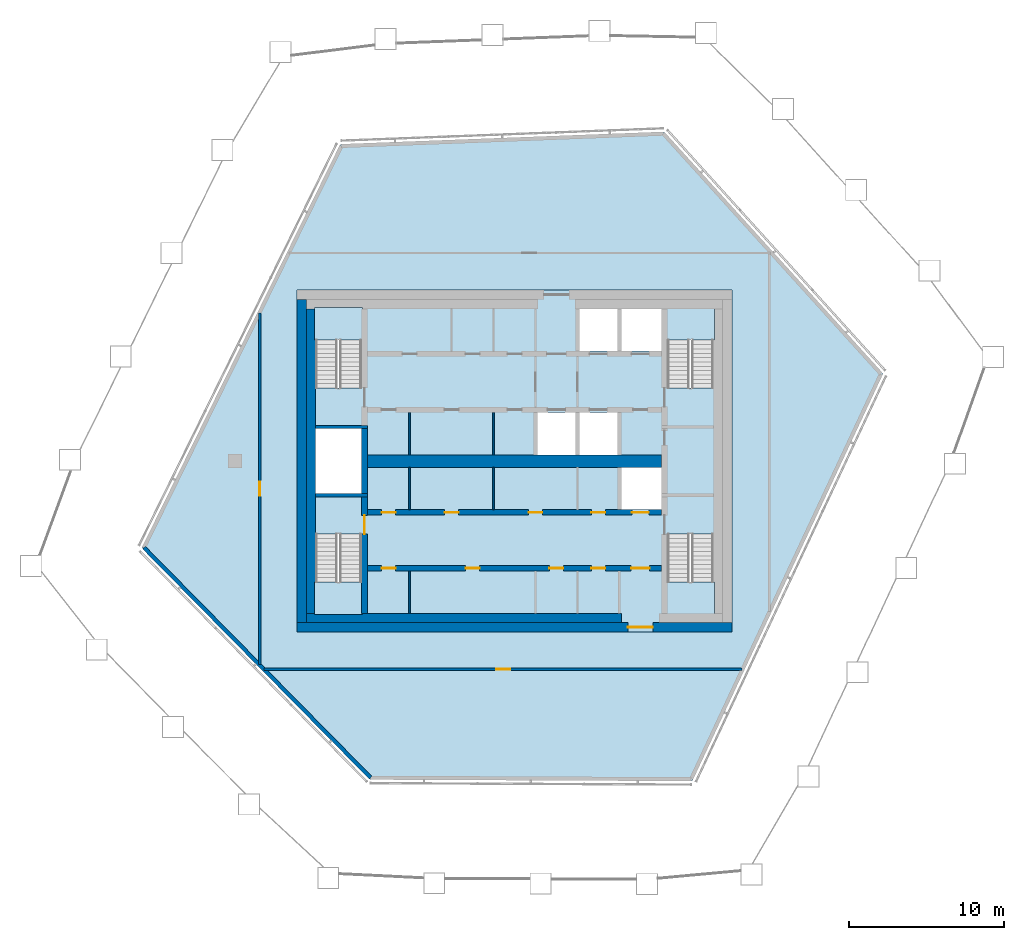
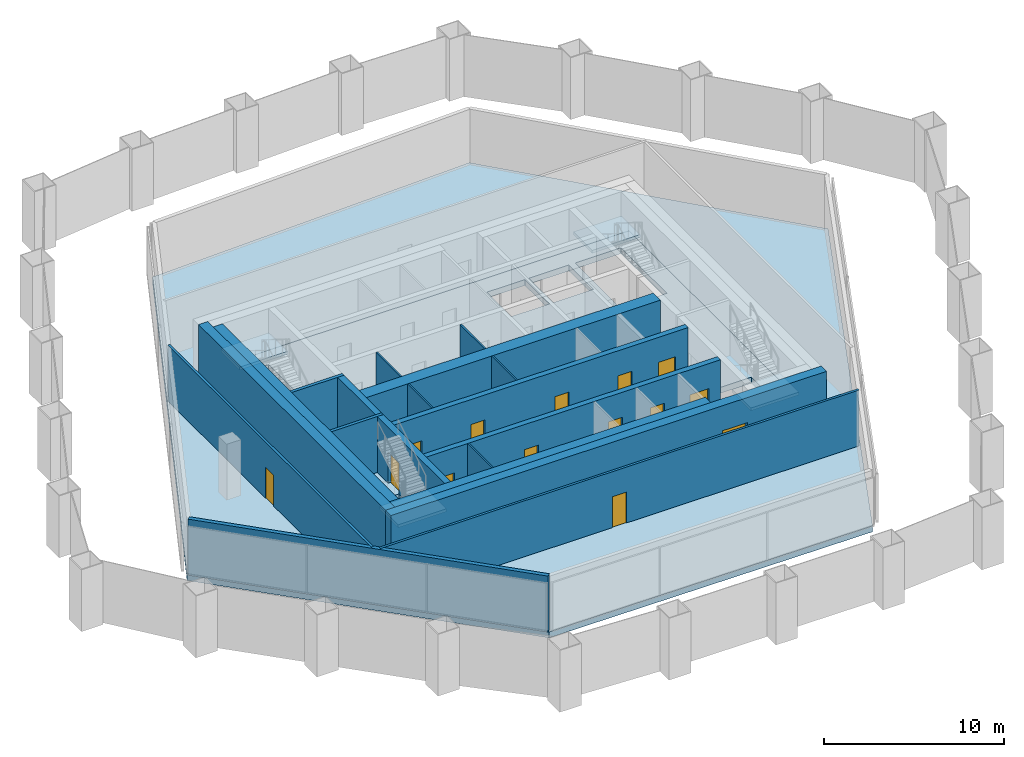
# One storey, part 7 of 18: 19 walls, 14 doors, 6 slabs, 14 openings, 4 elements without a shape of their own.
"""IFC4 building model written with IfcOpenShell, lengths in metres."""

import ifcopenshell
import ifcopenshell.guid

model = None  # the IFC model being written
_history = None  # IfcOwnerHistory: only IFC2X3 demands one
_inside = {}  # id of a spatial element -> (the spatial element, [elements in it])
_under = {}  # id of a project, library or spatial element -> (it, [spatial elements below it])
_declared = {}  # id of a project -> (the project, [libraries it declares])
_typed = {}  # id of a type object -> (the type object, [elements of that type])
_made_of = {}  # id of a material, layer set ... -> (it, [elements and type objects made of it])


def new_model(schema):
    """Start an empty IFC model of exactly this schema.

    Asked for "IFC4X3", IfcOpenShell would pick the latest addendum, in which some entities
    have other attributes; the version numbers below select the first issue.
    IFC2X3 requires an IfcOwnerHistory on every rooted entity: one is made here for all.
    """
    global model, _history
    if schema == "IFC4X3":
        model = ifcopenshell.file(schema_version=(4, 3, 0, 0))
    else:
        model = ifcopenshell.file(schema=schema)
    _inside.clear()
    _under.clear()
    _declared.clear()
    _typed.clear()
    _made_of.clear()
    _history = None
    if model.schema == "IFC2X3":
        org = make("IfcOrganization", Name="unknown")
        user = make(
            "IfcPersonAndOrganization",
            ThePerson=make("IfcPerson", FamilyName="unknown"),
            TheOrganization=org,
        )
        app = make(
            "IfcApplication",
            ApplicationDeveloper=org,
            Version="unknown",
            ApplicationFullName="unknown",
            ApplicationIdentifier="unknown",
        )
        _history = make(
            "IfcOwnerHistory",
            OwningUser=user,
            OwningApplication=app,
            ChangeAction="ADDED",
            CreationDate=0,
        )
    return model


def make(cls, **values):
    """One entity of the class cls with the attributes given. An attribute that is None is left unset."""
    return model.create_entity(
        cls, **{name: value for name, value in values.items() if value is not None}
    )


def rooted(cls, **values):
    """An entity with a GlobalId (a new one), such as an element, a storey or a relation."""
    return make(cls, GlobalId=ifcopenshell.guid.new(), OwnerHistory=_history, **values)


def si_unit(unit_type, name, prefix=None):
    """IfcSIUnit, for example si_unit("LENGTHUNIT", "METRE", prefix="MILLI")."""
    return make("IfcSIUnit", UnitType=unit_type, Prefix=prefix, Name=name)


def assignment(units):
    """IfcUnitAssignment: the units of a project."""
    return None if units is None else make("IfcUnitAssignment", Units=units)


def point(xyz):
    """IfcCartesianPoint."""
    return None if xyz is None else make("IfcCartesianPoint", Coordinates=xyz)


def direction(xyz):
    """IfcDirection."""
    return None if xyz is None else make("IfcDirection", DirectionRatios=xyz)


def frame(location, z_axis=None, x_axis=None):
    """IfcAxis2Placement3D, a coordinate frame: its origin and axes. An axis left out is left unset."""
    return make(
        "IfcAxis2Placement3D",
        Location=point(location),
        Axis=direction(z_axis),
        RefDirection=direction(x_axis),
    )


def frame_2d(location, x_axis=None):
    """IfcAxis2Placement2D, a coordinate frame in the plane: its origin and x axis."""
    return make(
        "IfcAxis2Placement2D", Location=point(location), RefDirection=direction(x_axis)
    )


def origin():
    """The frame at (0, 0, 0) with its axes left unset."""
    return frame((0.0, 0.0, 0.0))


def place(relative_to, where):
    """IfcLocalPlacement: puts the frame where relative to a parent placement (None: the world)."""
    return make(
        "IfcLocalPlacement", PlacementRelTo=relative_to, RelativePlacement=where
    )


def context(
    kind, dimensions, precision=None, world=None, true_north=None, identifier=None
):
    """IfcGeometricRepresentationContext, for example the 3D "Model" context."""
    return make(
        "IfcGeometricRepresentationContext",
        ContextIdentifier=identifier,
        ContextType=kind,
        CoordinateSpaceDimension=dimensions,
        Precision=precision,
        WorldCoordinateSystem=world,
        TrueNorth=true_north,
    )


def subcontext(parent, identifier, kind, view, scale=None):
    """IfcGeometricRepresentationSubContext, for example "Body" below "Model"."""
    return make(
        "IfcGeometricRepresentationSubContext",
        ContextIdentifier=identifier,
        ContextType=kind,
        ParentContext=parent,
        TargetScale=scale,
        TargetView=view,
    )


def project(units=None, contexts=None):
    """IfcProject with its units and contexts."""
    return rooted(
        "IfcProject",
        Name="project",
        RepresentationContexts=contexts,
        UnitsInContext=assignment(units),
    )


def spatial(cls, under=None, at=None, **own):
    """A site, building, storey or space (cls), placed at a placement, below another one or the project."""
    s = rooted(cls, ObjectPlacement=at, **own)
    if under is not None:
        _under.setdefault(under.id(), (under, []))[1].append(s)
    return s


def polyline(points):
    """IfcPolyline through the points."""
    return make("IfcPolyline", Points=[point(p) for p in points])


def profile(cls, at=None, kind="AREA", **sizes):
    """A parametric profile (cls). Its sizes go by their IFC names, for example OverallWidth=200.0."""
    return make(cls, ProfileType=kind, Position=at, **sizes)


def rectangle(**sizes):
    """IfcRectangleProfileDef."""
    return profile("IfcRectangleProfileDef", **sizes)


def outline(outer, holes=None, kind="AREA"):
    """IfcArbitraryClosedProfileDef: a profile drawn as a closed curve; with holes, ...WithVoids."""
    if holes is None:
        return make("IfcArbitraryClosedProfileDef", ProfileType=kind, OuterCurve=outer)
    return make(
        "IfcArbitraryProfileDefWithVoids",
        ProfileType=kind,
        OuterCurve=outer,
        InnerCurves=holes,
    )


def extrude(swept, where, along, depth):
    """IfcExtrudedAreaSolid: the profile swept, set in the frame where, extruded along a direction by depth."""
    return make(
        "IfcExtrudedAreaSolid",
        SweptArea=swept,
        Position=where,
        ExtrudedDirection=direction(along),
        Depth=depth,
    )


def shape(context_of_items, identifier, shape_type, items):
    """IfcShapeRepresentation: the items that make up one representation, for example the "Body"."""
    return make(
        "IfcShapeRepresentation",
        ContextOfItems=context_of_items,
        RepresentationIdentifier=identifier,
        RepresentationType=shape_type,
        Items=items,
    )


def material(Name=None, Category=None):
    """IfcMaterial."""
    return make("IfcMaterial", Name=Name, Category=Category)


def layer(
    of_material, thickness, ventilated=None, Name=None, Category=None, Priority=None
):
    """IfcMaterialLayer: one layer of a wall or slab, of a material (None: an air gap)."""
    return make(
        "IfcMaterialLayer",
        Material=of_material,
        LayerThickness=thickness,
        IsVentilated=ventilated,
        Name=Name,
        Category=Category,
        Priority=Priority,
    )


def layer_set(layers, Name=None):
    """IfcMaterialLayerSet."""
    return make("IfcMaterialLayerSet", MaterialLayers=layers, LayerSetName=Name)


def made_of(thing, what):
    """Note that an element or type object is made of a material, layer set ...; save() writes the relation."""
    if what is not None:
        _made_of.setdefault(what.id(), (what, []))[1].append(thing)
    return thing


def type_object(cls, material=None, **own):
    """A type object (cls), such as IfcWallType, which elements share."""
    return made_of(rooted(cls, **own), material)


def element(
    cls,
    number,
    at=None,
    inside=None,
    cuts=None,
    type_object=None,
    material=None,
    context=None,
    identifier="Body",
    shape_type=None,
    held_by="IfcProductDefinitionShape",
    body=None,
    shapes=None,
    **own,
):
    """One element of the class cls, such as IfcWall. Its Tag is "e" and its number.

    at: its placement. inside: the storey or other place that contains it. cuts: it is an
    opening in that element (IfcRelVoidsElement). A single representation is given by context,
    identifier, shape_type and body (its items); several are given by shapes. held_by: the class
    of the entity that holds the representations. save() writes the other relations.
    """
    e = rooted(cls, Tag="e%d" % number, ObjectPlacement=at, **own)
    if body is not None:
        shapes = [shape(context, identifier, shape_type, body)]
    if shapes is not None:
        e.Representation = make(held_by, Representations=shapes)
    if inside is not None:
        _inside.setdefault(inside.id(), (inside, []))[1].append(e)
    if cuts is not None:
        rooted(
            "IfcRelVoidsElement", RelatingBuildingElement=cuts, RelatedOpeningElement=e
        )
    if type_object is not None:
        _typed.setdefault(type_object.id(), (type_object, []))[1].append(e)
    return made_of(e, material)


def fill(opening, filler):
    """IfcRelFillsElement: the door or window that sits in an opening."""
    return rooted(
        "IfcRelFillsElement",
        RelatingOpeningElement=opening,
        RelatedBuildingElement=filler,
    )


def aggregate(whole, parts):
    """IfcRelAggregates: a whole, such as a stair, and the parts it consists of."""
    return rooted("IfcRelAggregates", RelatingObject=whole, RelatedObjects=parts)


def save(model, path):
    """Write the relations noted so far, then the file.

    IfcRelAggregates (storeys below a building ...), IfcRelContainedInSpatialStructure (elements
    in a storey), IfcRelDefinesByType, IfcRelAssociatesMaterial and IfcRelDeclares: one each for
    every whole, place, type object, material and project.
    """
    for whole, parts in _under.values():
        aggregate(whole, parts)
    for where, things in _inside.values():
        rooted(
            "IfcRelContainedInSpatialStructure",
            RelatedElements=things,
            RelatingStructure=where,
        )
    for kind, things in _typed.values():
        rooted("IfcRelDefinesByType", RelatedObjects=things, RelatingType=kind)
    for what, things in _made_of.values():
        rooted("IfcRelAssociatesMaterial", RelatedObjects=things, RelatingMaterial=what)
    for by, libraries in _declared.values():
        rooted("IfcRelDeclares", RelatingContext=by, RelatedDefinitions=libraries)
    model.write(path)


model = new_model("IFC4")

# Units and contexts
model_context = context("Model", 3, precision=1e-05, world=origin(), true_north=direction((0.0, 1.0)))
body_context = subcontext(model_context, "Body", "Model", "MODEL_VIEW")
ifc_project = project(units=[si_unit("LENGTHUNIT", "METRE"), si_unit("AREAUNIT", "SQUARE_METRE"), si_unit("VOLUMEUNIT", "CUBIC_METRE"), si_unit("PLANEANGLEUNIT", "RADIAN"), si_unit("MASSUNIT", "GRAM", prefix="KILO")], contexts=[model_context])

# Site, building, storey
site_placement = place(None, origin())
site = spatial("IfcSite", under=ifc_project, at=site_placement, CompositionType="ELEMENT")
building_placement = place(site_placement, origin())
building = spatial("IfcBuilding", under=site, at=building_placement, Name="Dongbaek Canopy Tower", CompositionType="ELEMENT")
storey_placement = place(building_placement, frame((0.0, 0.0, 367.39990234375)))
storey = spatial("IfcBuildingStorey", under=building, at=storey_placement, Name="L79", CompositionType="ELEMENT", Elevation=367.39990234375)

# Slab
ifc_material_1 = material(Name="Concrete C40/50", Category="concrete")
ifc_layer_1 = layer(ifc_material_1, 0.39990234375)
ifc_layer_set_1 = layer_set([ifc_layer_1], Name="Core floor slab 400 Concrete C40/50")
slab_type_1 = type_object("IfcSlabType", Name="Core floor slab 400 Concrete C40/50", PredefinedType="FLOOR", material=ifc_layer_set_1)
slab_1_placement = place(storey_placement, frame((0.0, 0.0, -0.39990234375)))
element("IfcSlab", 1, at=slab_1_placement, inside=storey, type_object=slab_type_1, Name="Core floor slab L79", PredefinedType="FLOOR", context=body_context, shape_type="SweptSolid", body=[
    extrude(outline(polyline([(14.0, -11.0), (14.0, 11.0), (-14.0, 11.0), (-14.0, -11.0), (14.0, -11.0)]), holes=[polyline([(-12.800048828125, 2.10009765625), (-9.85009765625, 2.10009765625), (-9.85009765625, -2.10009765625), (-12.800048828125, -2.10009765625), (-12.800048828125, 2.10009765625)]), polyline([(6.625, 9.800048828125), (6.625, 7.074951171875), (4.175048828125, 7.074951171875), (4.175048828125, 9.800048828125), (6.625, 9.800048828125)]), polyline([(9.449951171875, 7.074951171875), (6.875, 7.074951171875), (6.875, 9.800048828125), (9.449951171875, 9.800048828125), (9.449951171875, 7.074951171875)]), polyline([(1.47509765625, 3.125), (3.925048828125, 3.125), (3.925048828125, 0.39990234375), (1.47509765625, 0.39990234375), (1.47509765625, 3.125)]), polyline([(4.175048828125, 0.39990234375), (4.175048828125, 3.125), (6.625, 3.125), (6.625, 0.39990234375), (4.175048828125, 0.39990234375)]), polyline([(9.449951171875, -3.125), (6.875, -3.125), (6.875, -0.39990234375), (9.449951171875, -0.39990234375), (9.449951171875, -3.125)]), polyline([(12.800048828125, 4.70068359375), (12.800048828125, 9.800048828125), (9.85009765625, 9.800048828125), (9.85009765625, 4.70068359375), (12.800048828125, 4.70068359375)]), polyline([(-9.85009765625, 4.70068359375), (-9.85009765625, 9.800048828125), (-12.800048828125, 9.800048828125), (-12.800048828125, 4.70068359375), (-9.85009765625, 4.70068359375)]), polyline([(9.85009765625, -4.70068359375), (9.85009765625, -9.800048828125), (12.800048828125, -9.800048828125), (12.800048828125, -4.70068359375), (9.85009765625, -4.70068359375)]), polyline([(-12.800048828125, -4.70068359375), (-12.800048828125, -9.800048828125), (-9.85009765625, -9.800048828125), (-9.85009765625, -4.70068359375), (-12.800048828125, -4.70068359375)])]), origin(), (0.0, 0.0, 1.0), 0.39990234375),
])

# Stair, slab
ifc_material_2 = material(Name="Concrete C40/50", Category="concrete")
stair_type = type_object("IfcStairType", Name="Core exit stair", PredefinedType="HALF_TURN_STAIR", material=ifc_material_2)
stair_1_placement = place(storey_placement, origin())
stair_1 = element("IfcStair", 2, at=stair_1_placement, inside=storey, type_object=stair_type, Name="L79 exit stair A", PredefinedType="HALF_TURN_STAIR")
ifc_material_3 = material(Name="Concrete C40/50", Category="concrete")
ifc_layer_2 = layer(ifc_material_3, 0.199951171875)
ifc_layer_set_2 = layer_set([ifc_layer_2], Name="Core stair landing 200")
slab_type_2 = type_object("IfcSlabType", Name="Core stair landing 200", PredefinedType="LANDING", material=ifc_layer_set_2)
slab_2_placement = place(storey_placement, frame((0.0, 0.0, 1.900146484375)))
slab_2 = element("IfcSlab", 3, at=slab_2_placement, type_object=slab_type_2, Name="ST-A landing 1", PredefinedType="LANDING", context=body_context, shape_type="SweptSolid", body=[
    extrude(outline(polyline([(12.875, 7.780029296875), (12.875, 9.875), (9.77490234375, 9.875), (9.77490234375, 7.780029296875), (12.875, 7.780029296875)])), origin(), (0.0, 0.0, 1.0), 0.199951171875),
])
aggregate(stair_1, [slab_2])

stair_2_placement = place(storey_placement, origin())
stair_2 = element("IfcStair", 4, at=stair_2_placement, inside=storey, type_object=stair_type, Name="L79 exit stair C", PredefinedType="HALF_TURN_STAIR")
slab_3_placement = place(storey_placement, frame((0.0, 0.0, 1.900146484375)))
slab_3 = element("IfcSlab", 5, at=slab_3_placement, type_object=slab_type_2, Name="ST-C landing 1", PredefinedType="LANDING", context=body_context, shape_type="SweptSolid", body=[
    extrude(outline(polyline([(-9.77490234375, 7.780029296875), (-9.77490234375, 9.875), (-12.875, 9.875), (-12.875, 7.780029296875), (-9.77490234375, 7.780029296875)])), origin(), (0.0, 0.0, 1.0), 0.199951171875),
])
aggregate(stair_2, [slab_3])

stair_3_placement = place(storey_placement, origin())
stair_3 = element("IfcStair", 6, at=stair_3_placement, inside=storey, type_object=stair_type, Name="L79 exit stair B", PredefinedType="HALF_TURN_STAIR")
slab_4_placement = place(storey_placement, frame((0.0, 0.0, 1.900146484375)))
slab_4 = element("IfcSlab", 7, at=slab_4_placement, type_object=slab_type_2, Name="ST-B landing 1", PredefinedType="LANDING", context=body_context, shape_type="SweptSolid", body=[
    extrude(outline(polyline([(9.77490234375, -7.780029296875), (9.77490234375, -9.875), (12.875, -9.875), (12.875, -7.780029296875), (9.77490234375, -7.780029296875)])), origin(), (0.0, 0.0, 1.0), 0.199951171875),
])
aggregate(stair_3, [slab_4])

stair_4_placement = place(storey_placement, origin())
stair_4 = element("IfcStair", 8, at=stair_4_placement, inside=storey, type_object=stair_type, Name="L79 exit stair D", PredefinedType="HALF_TURN_STAIR")
slab_5_placement = place(storey_placement, frame((0.0, 0.0, 1.900146484375)))
slab_5 = element("IfcSlab", 9, at=slab_5_placement, type_object=slab_type_2, Name="ST-D landing 1", PredefinedType="LANDING", context=body_context, shape_type="SweptSolid", body=[
    extrude(outline(polyline([(-12.875, -7.780029296875), (-12.875, -9.875), (-9.77490234375, -9.875), (-9.77490234375, -7.780029296875), (-12.875, -7.780029296875)])), origin(), (0.0, 0.0, 1.0), 0.199951171875),
])
aggregate(stair_4, [slab_5])

# Slab
ifc_material_4 = material(Name="Concrete C40", Category="concrete")
ifc_layer_3 = layer(ifc_material_4, 0.39990234375)
ifc_layer_set_3 = layer_set([ifc_layer_3], Name="RC FLAT PLATE 400 Concrete C40")
slab_type_3 = type_object("IfcSlabType", Name="RC FLAT PLATE 400 Concrete C40", PredefinedType="FLOOR", material=ifc_layer_set_3)
slab_6_placement = place(storey_placement, frame((0.0, 0.0, -0.39990234375)))
element("IfcSlab", 10, at=slab_6_placement, inside=storey, type_object=slab_type_3, Name="SLAB:L79", PredefinedType="FLOOR", context=body_context, shape_type="SweptSolid", body=[
    extrude(outline(polyline([(-23.972412109375, -5.587646484375), (-11.201904296875, 20.37744140625), (9.6259765625, 21.17431640625), (23.701416015625, 5.631591796875), (11.430908203125, -20.569091796875), (-9.307861328125, -20.4765625), (-23.972412109375, -5.587646484375)]), holes=[polyline([(14.0, 11.0), (-14.0, 11.0), (-14.0, -11.0), (14.0, -11.0), (14.0, 11.0)])]), origin(), (0.0, 0.0, 1.0), 0.39990234375),
])

# Wall
ifc_material_5 = material(Name="Concrete C60/75", Category="concrete")
ifc_layer_4 = layer(ifc_material_5, 0.800048828125)
ifc_layer_set_4 = layer_set([ifc_layer_4], Name="Core central wall 800 Concrete C60/75")
wall_type_1 = type_object("IfcWallType", Name="Core central wall 800 Concrete C60/75", PredefinedType="SHEAR", material=ifc_layer_set_4)
wall_1_placement = place(storey_placement, frame((-9.449951171875, 0.0, 0.0), z_axis=(0.0, 0.0, 1.0), x_axis=(1.0, 0.0, 0.0)))
element("IfcWall", 11, at=wall_1_placement, inside=storey, type_object=wall_type_1, Name="Core wall", PredefinedType="SHEAR", context=body_context, shape_type="SweptSolid", body=[
    extrude(rectangle(XDim=18.89990234375, YDim=0.800048828125, at=frame_2d((9.449951171875, 0.0))), origin(), (0.0, 0.0, 1.0), 3.800048828125),
])

# Wall, openings, doors
ifc_material_6 = material(Name="Concrete C60/75", Category="concrete")
ifc_layer_5 = layer(ifc_material_6, 0.35009765625)
ifc_layer_set_5 = layer_set([ifc_layer_5], Name="Core lobby wall 350 Concrete C60/75")
wall_type_2 = type_object("IfcWallType", Name="Core lobby wall 350 Concrete C60/75", PredefinedType="SHEAR", material=ifc_layer_set_5)
wall_2_placement = place(storey_placement, frame((-9.449951171875, -3.300048828125, 0.0), z_axis=(0.0, 0.0, 1.0), x_axis=(1.0, 0.0, 0.0)))
wall_2 = element("IfcWall", 12, at=wall_2_placement, inside=storey, type_object=wall_type_2, Name="Core wall", PredefinedType="SHEAR", context=body_context, shape_type="SweptSolid", body=[
    extrude(rectangle(XDim=18.89990234375, YDim=0.35009765625, at=frame_2d((9.449951171875, 0.0))), origin(), (0.0, 0.0, 1.0), 3.800048828125),
])
opening_1_placement = place(wall_2_placement, frame((17.0, 0.0, 0.0)))
opening_1 = element("IfcOpeningElement", 13, at=opening_1_placement, cuts=wall_2, Name="Opening L79-D012", PredefinedType="OPENING", context=body_context, shape_type="SweptSolid", body=[
    extrude(rectangle(XDim=1.10009765625, YDim=2.10009765625, at=frame_2d((0.550048828125, 1.050048828125))), frame((0.0, 0.18505859375, 0.0), z_axis=(0.0, -1.0, 0.0), x_axis=(1.0, 0.0, 0.0)), (0.0, 0.0, 1.0), 0.3701171875),
])
opening_2_placement = place(wall_2_placement, frame((0.89990234375, 0.0, 0.0)))
opening_2 = element("IfcOpeningElement", 14, at=opening_2_placement, cuts=wall_2, Name="Opening L79-D021", PredefinedType="OPENING", context=body_context, shape_type="SweptSolid", body=[
    extrude(rectangle(XDim=0.89990234375, YDim=2.10009765625, at=frame_2d((0.449951171875, 1.050048828125))), frame((0.0, 0.18505859375, 0.0), z_axis=(0.0, -1.0, 0.0), x_axis=(1.0, 0.0, 0.0)), (0.0, 0.0, 1.0), 0.3701171875),
])
opening_3_placement = place(wall_2_placement, frame((4.949951171875, 0.0, 0.0)))
opening_3 = element("IfcOpeningElement", 15, at=opening_3_placement, cuts=wall_2, Name="Opening L79-D022", PredefinedType="OPENING", context=body_context, shape_type="SweptSolid", body=[
    extrude(rectangle(XDim=0.89990234375, YDim=2.10009765625, at=frame_2d((0.449951171875, 1.050048828125))), frame((0.0, 0.18505859375, 0.0), z_axis=(0.0, -1.0, 0.0), x_axis=(1.0, 0.0, 0.0)), (0.0, 0.0, 1.0), 0.3701171875),
])
opening_4_placement = place(wall_2_placement, frame((10.35009765625, 0.0, 0.0)))
opening_4 = element("IfcOpeningElement", 16, at=opening_4_placement, cuts=wall_2, Name="Opening L79-D023", PredefinedType="OPENING", context=body_context, shape_type="SweptSolid", body=[
    extrude(rectangle(XDim=0.89990234375, YDim=2.10009765625, at=frame_2d((0.449951171875, 1.050048828125))), frame((0.0, 0.18505859375, 0.0), z_axis=(0.0, -1.0, 0.0), x_axis=(1.0, 0.0, 0.0)), (0.0, 0.0, 1.0), 0.3701171875),
])
opening_5_placement = place(wall_2_placement, frame((14.39990234375, 0.0, 0.0)))
opening_5 = element("IfcOpeningElement", 17, at=opening_5_placement, cuts=wall_2, Name="Opening L79-D024", PredefinedType="OPENING", context=body_context, shape_type="SweptSolid", body=[
    extrude(rectangle(XDim=0.89990234375, YDim=2.10009765625, at=frame_2d((0.449951171875, 1.050048828125))), frame((0.0, 0.18505859375, 0.0), z_axis=(0.0, -1.0, 0.0), x_axis=(1.0, 0.0, 0.0)), (0.0, 0.0, 1.0), 0.3701171875),
])
ifc_material_7 = material(Name="Steel", Category="steel")
door_type_1 = type_object("IfcDoorType", Name="Core room door 900 x 2100", OperationType="SINGLE_SWING_LEFT", PredefinedType="DOOR", material=ifc_material_7)
door_1_placement = place(opening_2_placement, origin())
door_1 = element("IfcDoor", 18, at=door_1_placement, inside=storey, type_object=door_type_1, Name="Door L79-D021", OperationType="SINGLE_SWING_RIGHT", OverallHeight=2.10009765625, OverallWidth=0.89990234375, PredefinedType="DOOR", context=body_context, shape_type="SweptSolid", body=[
    extrude(rectangle(XDim=0.89990234375, YDim=2.10009765625, at=frame_2d((0.449951171875, 1.050048828125))), frame((0.0, 0.02490234375, 0.0), z_axis=(0.0, -1.0, 0.0), x_axis=(1.0, 0.0, 0.0)), (0.0, 0.0, 1.0), 0.050048828125),
])
fill(opening_2, door_1)
door_2_placement = place(opening_3_placement, origin())
door_2 = element("IfcDoor", 19, at=door_2_placement, inside=storey, type_object=door_type_1, Name="Door L79-D022", OperationType="SINGLE_SWING_LEFT", OverallHeight=2.10009765625, OverallWidth=0.89990234375, PredefinedType="DOOR", context=body_context, shape_type="SweptSolid", body=[
    extrude(rectangle(XDim=0.89990234375, YDim=2.10009765625, at=frame_2d((0.449951171875, 1.050048828125))), frame((0.0, 0.02490234375, 0.0), z_axis=(0.0, -1.0, 0.0), x_axis=(1.0, 0.0, 0.0)), (0.0, 0.0, 1.0), 0.050048828125),
])
fill(opening_3, door_2)
door_3_placement = place(opening_4_placement, origin())
door_3 = element("IfcDoor", 20, at=door_3_placement, inside=storey, type_object=door_type_1, Name="Door L79-D023", OperationType="SINGLE_SWING_RIGHT", OverallHeight=2.10009765625, OverallWidth=0.89990234375, PredefinedType="DOOR", context=body_context, shape_type="SweptSolid", body=[
    extrude(rectangle(XDim=0.89990234375, YDim=2.10009765625, at=frame_2d((0.449951171875, 1.050048828125))), frame((0.0, 0.02490234375, 0.0), z_axis=(0.0, -1.0, 0.0), x_axis=(1.0, 0.0, 0.0)), (0.0, 0.0, 1.0), 0.050048828125),
])
fill(opening_4, door_3)
door_4_placement = place(opening_5_placement, origin())
door_4 = element("IfcDoor", 21, at=door_4_placement, inside=storey, type_object=door_type_1, Name="Door L79-D024", OperationType="SINGLE_SWING_LEFT", OverallHeight=2.10009765625, OverallWidth=0.89990234375, PredefinedType="DOOR", context=body_context, shape_type="SweptSolid", body=[
    extrude(rectangle(XDim=0.89990234375, YDim=2.10009765625, at=frame_2d((0.449951171875, 1.050048828125))), frame((0.0, 0.02490234375, 0.0), z_axis=(0.0, -1.0, 0.0), x_axis=(1.0, 0.0, 0.0)), (0.0, 0.0, 1.0), 0.050048828125),
])
fill(opening_5, door_4)
ifc_material_8 = material(Name="Stainless steel", Category="steel")
door_type_2 = type_object("IfcDoorType", Name="Lift landing door 1100 x 2100", OperationType="DOUBLE_DOOR_SLIDING", PredefinedType="DOOR", material=ifc_material_8)
door_5_placement = place(opening_1_placement, origin())
door_5 = element("IfcDoor", 22, at=door_5_placement, inside=storey, type_object=door_type_2, Name="Landing door SV2", OperationType="DOUBLE_DOOR_SLIDING", OverallHeight=2.10009765625, OverallWidth=1.10009765625, PredefinedType="DOOR", context=body_context, shape_type="SweptSolid", body=[
    extrude(rectangle(XDim=1.10009765625, YDim=2.10009765625, at=frame_2d((0.550048828125, 1.050048828125))), frame((0.0, 0.02490234375, 0.0), z_axis=(0.0, -1.0, 0.0), x_axis=(1.0, 0.0, 0.0)), (0.0, 0.0, 1.0), 0.050048828125),
])
fill(opening_1, door_5)

wall_3_placement = place(storey_placement, frame((9.449951171875, -6.89990234375, 0.0), z_axis=(0.0, 0.0, 1.0), x_axis=(-1.0, 0.0, 0.0)))
wall_3 = element("IfcWall", 23, at=wall_3_placement, inside=storey, type_object=wall_type_2, Name="Core wall", PredefinedType="SHEAR", context=body_context, shape_type="SweptSolid", body=[
    extrude(rectangle(XDim=18.89990234375, YDim=0.35009765625, at=frame_2d((9.449951171875, 0.0))), origin(), (0.0, 0.0, 1.0), 3.800048828125),
])
opening_6_placement = place(wall_3_placement, frame((0.75, 0.0, 0.0)))
opening_6 = element("IfcOpeningElement", 24, at=opening_6_placement, cuts=wall_3, Name="Opening L79-D014", PredefinedType="OPENING", context=body_context, shape_type="SweptSolid", body=[
    extrude(rectangle(XDim=1.199951171875, YDim=2.10009765625, at=frame_2d((0.60009765625, 1.050048828125))), frame((0.0, 0.18505859375, 0.0), z_axis=(0.0, -1.0, 0.0), x_axis=(1.0, 0.0, 0.0)), (0.0, 0.0, 1.0), 0.3701171875),
])
opening_7_placement = place(wall_3_placement, frame((17.10009765625, 0.0, 0.0)))
opening_7 = element("IfcOpeningElement", 25, at=opening_7_placement, cuts=wall_3, Name="Opening L79-D025", PredefinedType="OPENING", context=body_context, shape_type="SweptSolid", body=[
    extrude(rectangle(XDim=0.89990234375, YDim=2.10009765625, at=frame_2d((0.449951171875, 1.050048828125))), frame((0.0, 0.18505859375, 0.0), z_axis=(0.0, -1.0, 0.0), x_axis=(1.0, 0.0, 0.0)), (0.0, 0.0, 1.0), 0.3701171875),
])
opening_8_placement = place(wall_3_placement, frame((11.699951171875, 0.0, 0.0)))
opening_8 = element("IfcOpeningElement", 26, at=opening_8_placement, cuts=wall_3, Name="Opening L79-D026", PredefinedType="OPENING", context=body_context, shape_type="SweptSolid", body=[
    extrude(rectangle(XDim=0.89990234375, YDim=2.10009765625, at=frame_2d((0.449951171875, 1.050048828125))), frame((0.0, 0.18505859375, 0.0), z_axis=(0.0, -1.0, 0.0), x_axis=(1.0, 0.0, 0.0)), (0.0, 0.0, 1.0), 0.3701171875),
])
opening_9_placement = place(wall_3_placement, frame((6.300048828125, 0.0, 0.0)))
opening_9 = element("IfcOpeningElement", 27, at=opening_9_placement, cuts=wall_3, Name="Opening L79-D027", PredefinedType="OPENING", context=body_context, shape_type="SweptSolid", body=[
    extrude(rectangle(XDim=0.89990234375, YDim=2.10009765625, at=frame_2d((0.449951171875, 1.050048828125))), frame((0.0, 0.18505859375, 0.0), z_axis=(0.0, -1.0, 0.0), x_axis=(1.0, 0.0, 0.0)), (0.0, 0.0, 1.0), 0.3701171875),
])
opening_10_placement = place(wall_3_placement, frame((3.60009765625, 0.0, 0.0)))
opening_10 = element("IfcOpeningElement", 28, at=opening_10_placement, cuts=wall_3, Name="Opening L79-D028", PredefinedType="OPENING", context=body_context, shape_type="SweptSolid", body=[
    extrude(rectangle(XDim=0.89990234375, YDim=2.10009765625, at=frame_2d((0.449951171875, 1.050048828125))), frame((0.0, 0.18505859375, 0.0), z_axis=(0.0, -1.0, 0.0), x_axis=(1.0, 0.0, 0.0)), (0.0, 0.0, 1.0), 0.3701171875),
])
door_6_placement = place(opening_7_placement, origin())
door_6 = element("IfcDoor", 29, at=door_6_placement, inside=storey, type_object=door_type_1, Name="Door L79-D025", OperationType="SINGLE_SWING_RIGHT", OverallHeight=2.10009765625, OverallWidth=0.89990234375, PredefinedType="DOOR", context=body_context, shape_type="SweptSolid", body=[
    extrude(rectangle(XDim=0.89990234375, YDim=2.10009765625, at=frame_2d((0.449951171875, 1.050048828125))), frame((0.0, 0.02490234375, 0.0), z_axis=(0.0, -1.0, 0.0), x_axis=(1.0, 0.0, 0.0)), (0.0, 0.0, 1.0), 0.050048828125),
])
fill(opening_7, door_6)
door_7_placement = place(opening_8_placement, origin())
door_7 = element("IfcDoor", 30, at=door_7_placement, inside=storey, type_object=door_type_1, Name="Door L79-D026", OperationType="SINGLE_SWING_LEFT", OverallHeight=2.10009765625, OverallWidth=0.89990234375, PredefinedType="DOOR", context=body_context, shape_type="SweptSolid", body=[
    extrude(rectangle(XDim=0.89990234375, YDim=2.10009765625, at=frame_2d((0.449951171875, 1.050048828125))), frame((0.0, 0.02490234375, 0.0), z_axis=(0.0, -1.0, 0.0), x_axis=(1.0, 0.0, 0.0)), (0.0, 0.0, 1.0), 0.050048828125),
])
fill(opening_8, door_7)
door_8_placement = place(opening_9_placement, origin())
door_8 = element("IfcDoor", 31, at=door_8_placement, inside=storey, type_object=door_type_1, Name="Door L79-D027", OperationType="SINGLE_SWING_RIGHT", OverallHeight=2.10009765625, OverallWidth=0.89990234375, PredefinedType="DOOR", context=body_context, shape_type="SweptSolid", body=[
    extrude(rectangle(XDim=0.89990234375, YDim=2.10009765625, at=frame_2d((0.449951171875, 1.050048828125))), frame((0.0, 0.02490234375, 0.0), z_axis=(0.0, -1.0, 0.0), x_axis=(1.0, 0.0, 0.0)), (0.0, 0.0, 1.0), 0.050048828125),
])
fill(opening_9, door_8)
door_9_placement = place(opening_10_placement, origin())
door_9 = element("IfcDoor", 32, at=door_9_placement, inside=storey, type_object=door_type_1, Name="Door L79-D028", OperationType="SINGLE_SWING_LEFT", OverallHeight=2.10009765625, OverallWidth=0.89990234375, PredefinedType="DOOR", context=body_context, shape_type="SweptSolid", body=[
    extrude(rectangle(XDim=0.89990234375, YDim=2.10009765625, at=frame_2d((0.449951171875, 1.050048828125))), frame((0.0, 0.02490234375, 0.0), z_axis=(0.0, -1.0, 0.0), x_axis=(1.0, 0.0, 0.0)), (0.0, 0.0, 1.0), 0.050048828125),
])
fill(opening_10, door_9)
ifc_material_9 = material(Name="Steel", Category="steel")
door_type_3 = type_object("IfcDoorType", Name="Fire lobby door 1200 x 2100", OperationType="SINGLE_SWING_LEFT", PredefinedType="DOOR", material=ifc_material_9)
door_10_placement = place(opening_6_placement, origin())
door_10 = element("IfcDoor", 33, at=door_10_placement, inside=storey, type_object=door_type_3, Name="Door L79-D014", OperationType="SINGLE_SWING_LEFT", OverallHeight=2.10009765625, OverallWidth=1.199951171875, PredefinedType="DOOR", context=body_context, shape_type="SweptSolid", body=[
    extrude(rectangle(XDim=1.199951171875, YDim=2.10009765625, at=frame_2d((0.60009765625, 1.050048828125))), frame((0.0, 0.02490234375, 0.0), z_axis=(0.0, -1.0, 0.0), x_axis=(1.0, 0.0, 0.0)), (0.0, 0.0, 1.0), 0.050048828125),
])
fill(opening_6, door_10)

# Wall, opening, door
ifc_material_10 = material(Name="Concrete C80/95", Category="concrete")
ifc_layer_6 = layer(ifc_material_10, 0.60009765625)
ifc_layer_set_6 = layer_set([ifc_layer_6], Name="Core outer wall 600 Concrete C80/95")
wall_type_3 = type_object("IfcWallType", Name="Core outer wall 600 Concrete C80/95", PredefinedType="SHEAR", material=ifc_layer_set_6)
wall_4_placement = place(storey_placement, frame((14.0, -10.699951171875, 0.0), z_axis=(0.0, 0.0, 1.0), x_axis=(-1.0, 0.0, 0.0)))
wall_4 = element("IfcWall", 34, at=wall_4_placement, inside=storey, type_object=wall_type_3, Name="Core wall", PredefinedType="SHEAR", context=body_context, shape_type="SweptSolid", body=[
    extrude(rectangle(XDim=28.0, YDim=0.60009765625, at=frame_2d((14.0, 0.0))), origin(), (0.0, 0.0, 1.0), 3.800048828125),
])
opening_11_placement = place(wall_4_placement, frame((5.10009765625, 0.0, 0.0)))
opening_11 = element("IfcOpeningElement", 35, at=opening_11_placement, cuts=wall_4, Name="Opening L79-D013", PredefinedType="OPENING", context=body_context, shape_type="SweptSolid", body=[
    extrude(rectangle(XDim=1.60009765625, YDim=2.10009765625, at=frame_2d((0.800048828125, 1.050048828125))), frame((0.0, 0.31005859375, 0.0), z_axis=(0.0, -1.0, 0.0), x_axis=(1.0, 0.0, 0.0)), (0.0, 0.0, 1.0), 0.6201171875),
])
ifc_material_11 = material(Name="Steel", Category="steel")
door_type_4 = type_object("IfcDoorType", Name="Core exit door 1600 x 2100", OperationType="DOUBLE_DOOR_SINGLE_SWING", PredefinedType="DOOR", material=ifc_material_11)
door_11_placement = place(opening_11_placement, origin())
door_11 = element("IfcDoor", 36, at=door_11_placement, inside=storey, type_object=door_type_4, Name="Core exit door", OperationType="DOUBLE_DOOR_SINGLE_SWING", OverallHeight=2.10009765625, OverallWidth=1.60009765625, PredefinedType="DOOR", context=body_context, shape_type="SweptSolid", body=[
    extrude(rectangle(XDim=1.60009765625, YDim=2.10009765625, at=frame_2d((0.800048828125, 1.050048828125))), frame((0.0, 0.02490234375, 0.0), z_axis=(0.0, -1.0, 0.0), x_axis=(1.0, 0.0, 0.0)), (0.0, 0.0, 1.0), 0.050048828125),
])
fill(opening_11, door_11)

# Walls
wall_5_placement = place(storey_placement, frame((-13.699951171875, -10.39990234375, 0.0), z_axis=(0.0, 0.0, 1.0), x_axis=(0.0, 1.0, 0.0)))
element("IfcWall", 37, at=wall_5_placement, inside=storey, type_object=wall_type_3, Name="Core wall", PredefinedType="SHEAR", context=body_context, shape_type="SweptSolid", body=[
    extrude(rectangle(XDim=20.7998046875, YDim=0.60009765625, at=frame_2d((10.39990234375, 0.0))), origin(), (0.0, 0.0, 1.0), 3.800048828125),
])
ifc_material_12 = material(Name="Concrete C60/75", Category="concrete")
ifc_layer_7 = layer(ifc_material_12, 0.60009765625)
ifc_layer_set_7 = layer_set([ifc_layer_7], Name="Core wall lining 600 Concrete C60/75")
wall_type_4 = type_object("IfcWallType", Name="Core wall lining 600 Concrete C60/75", PredefinedType="SHEAR", material=ifc_layer_set_7)
wall_6_placement = place(storey_placement, frame((6.89990234375, -10.10009765625, 0.0), z_axis=(0.0, 0.0, 1.0), x_axis=(-1.0, 0.0, 0.0)))
element("IfcWall", 38, at=wall_6_placement, inside=storey, type_object=wall_type_4, Name="Core wall lining", PredefinedType="SHEAR", context=body_context, shape_type="SweptSolid", body=[
    extrude(rectangle(XDim=20.2998046875, YDim=0.60009765625, at=frame_2d((10.14990234375, 0.0))), origin(), (0.0, 0.0, 1.0), 3.800048828125),
])
wall_7_placement = place(storey_placement, frame((-13.10009765625, -9.800048828125, 0.0), z_axis=(0.0, 0.0, 1.0), x_axis=(0.0, 1.0, 0.0)))
element("IfcWall", 39, at=wall_7_placement, inside=storey, type_object=wall_type_4, Name="Core wall lining", PredefinedType="SHEAR", context=body_context, shape_type="SweptSolid", body=[
    extrude(rectangle(XDim=19.60009765625, YDim=0.60009765625, at=frame_2d((9.800048828125, 0.0))), origin(), (0.0, 0.0, 1.0), 3.800048828125),
])

# Wall, opening, door
ifc_material_13 = material(Name="Gypsum board partition, steel stud, 2 x 15 mm fire board", Category="steel")
ifc_layer_8 = layer(ifc_material_13, 0.14990234375)
ifc_layer_set_8 = layer_set([ifc_layer_8], Name="Fire-rated partition 150 gypsum board")
wall_type_5 = type_object("IfcWallType", Name="Fire-rated partition 150 gypsum board", PredefinedType="PARTITIONING", material=ifc_layer_set_8)
wall_8_placement = place(storey_placement, frame((14.656005859375, -13.39990234375, 0.0), z_axis=(0.0, 0.0, 1.0), x_axis=(-1.0, 0.0, 0.0)))
wall_8 = element("IfcWall", 40, at=wall_8_placement, inside=storey, type_object=wall_type_5, Name="Corridor partition", PredefinedType="PARTITIONING", context=body_context, shape_type="SweptSolid", body=[
    extrude(rectangle(XDim=30.76513671875, YDim=0.14990234375, at=frame_2d((15.382568359375, 0.0))), origin(), (0.0, 0.0, 1.0), 3.800048828125),
])
opening_12_placement = place(wall_8_placement, frame((14.9326171875, 0.0, 0.0)))
opening_12 = element("IfcOpeningElement", 41, at=opening_12_placement, cuts=wall_8, Name="Opening L79-D002", PredefinedType="OPENING", context=body_context, shape_type="SweptSolid", body=[
    extrude(rectangle(XDim=0.89990234375, YDim=2.10009765625, at=frame_2d((0.449951171875, 1.050048828125))), frame((0.0, 0.0849609375, 0.0), z_axis=(0.0, -1.0, 0.0), x_axis=(1.0, 0.0, 0.0)), (0.0, 0.0, 1.0), 0.169921875),
])
ifc_material_14 = material(Name="Timber veneered door leaf", Category="wood")
door_type_5 = type_object("IfcDoorType", Name="Store door 900 x 2100", OperationType="SINGLE_SWING_LEFT", PredefinedType="DOOR", material=ifc_material_14)
door_12_placement = place(opening_12_placement, origin())
door_12 = element("IfcDoor", 42, at=door_12_placement, inside=storey, type_object=door_type_5, Name="Door L79-D002", OperationType="SINGLE_SWING_LEFT", OverallHeight=2.10009765625, OverallWidth=0.89990234375, PredefinedType="DOOR", context=body_context, shape_type="SweptSolid", body=[
    extrude(rectangle(XDim=0.89990234375, YDim=2.10009765625, at=frame_2d((0.449951171875, 1.050048828125))), frame((0.0, 0.02490234375, 0.0), z_axis=(0.0, -1.0, 0.0), x_axis=(1.0, 0.0, 0.0)), (0.0, 0.0, 1.0), 0.050048828125),
])
fill(opening_12, door_12)

wall_9_placement = place(storey_placement, frame((-16.39990234375, -13.104736328125, 0.0), z_axis=(0.0, 0.0, 1.0), x_axis=(0.0, 1.0, 0.0)))
wall_9 = element("IfcWall", 43, at=wall_9_placement, inside=storey, type_object=wall_type_5, Name="Corridor partition", PredefinedType="PARTITIONING", context=body_context, shape_type="SweptSolid", body=[
    extrude(rectangle(XDim=22.641357421875, YDim=0.14990234375, at=frame_2d((11.32080078125, 0.0))), origin(), (0.0, 0.0, 1.0), 3.800048828125),
])
opening_13_placement = place(wall_9_placement, frame((10.87060546875, 0.0, 0.0)))
opening_13 = element("IfcOpeningElement", 44, at=opening_13_placement, cuts=wall_9, Name="Opening L79-D001", PredefinedType="OPENING", context=body_context, shape_type="SweptSolid", body=[
    extrude(rectangle(XDim=0.89990234375, YDim=2.10009765625, at=frame_2d((0.449951171875, 1.050048828125))), frame((0.0, 0.0849609375, 0.0), z_axis=(0.0, -1.0, 0.0), x_axis=(1.0, 0.0, 0.0)), (0.0, 0.0, 1.0), 0.169921875),
])
door_13_placement = place(opening_13_placement, origin())
door_13 = element("IfcDoor", 45, at=door_13_placement, inside=storey, type_object=door_type_5, Name="Door L79-D001", OperationType="SINGLE_SWING_RIGHT", OverallHeight=2.10009765625, OverallWidth=0.89990234375, PredefinedType="DOOR", context=body_context, shape_type="SweptSolid", body=[
    extrude(rectangle(XDim=0.89990234375, YDim=2.10009765625, at=frame_2d((0.449951171875, 1.050048828125))), frame((0.0, 0.02490234375, 0.0), z_axis=(0.0, -1.0, 0.0), x_axis=(1.0, 0.0, 0.0)), (0.0, 0.0, 1.0), 0.050048828125),
])
fill(opening_13, door_13)

# Walls
ifc_material_15 = material(Name="Gypsum board partition, steel stud, 2 x 12.5 mm board", Category="steel")
ifc_layer_9 = layer(ifc_material_15, 0.10009765625)
ifc_layer_set_9 = layer_set([ifc_layer_9], Name="Partition 100 gypsum board")
wall_type_6 = type_object("IfcWallType", Name="Partition 100 gypsum board", PredefinedType="PARTITIONING", material=ifc_layer_set_9)
for number, where, z_axis, x_axis, name in (
    (46, (-1.35009765625, -3.125, 0.0), (0.0, 0.0, 1.0), (0.0, 1.0, 0.0), "Core partition"),
    (47, (-1.35009765625, 0.39990234375, 0.0), (0.0, 0.0, 1.0), (0.0, 1.0, 0.0), "Core partition"),
    (48, (-6.75, -9.800048828125, 0.0), (0.0, 0.0, 1.0), (0.0, 1.0, 0.0), "Core partition"),
    (49, (-6.75, -3.125, 0.0), (0.0, 0.0, 1.0), (0.0, 1.0, 0.0), "Core partition"),
    (50, (-6.75, 0.39990234375, 0.0), (0.0, 0.0, 1.0), (0.0, 1.0, 0.0), "Core partition"),
):
    element("IfcWall", number, at=place(storey_placement, frame(where, z_axis=z_axis, x_axis=x_axis)), inside=storey, type_object=wall_type_6, Name=name, PredefinedType="PARTITIONING", context=body_context, shape_type="SweptSolid", body=[
        extrude(rectangle(XDim=2.72509765625, YDim=0.10009765625, at=frame_2d((1.362548828125, 0.0))), origin(), (0.0, 0.0, 1.0), 3.800048828125),
    ])
ifc_material_16 = material(Name="Pale metal cladding on insulated wall")
ifc_layer_10 = layer(ifc_material_16, 0.25)
ifc_layer_set_10 = layer_set([ifc_layer_10], Name="Plant floor wall 250")
wall_type_7 = type_object("IfcWallType", Name="Plant floor wall 250", PredefinedType="SOLIDWALL", material=ifc_layer_set_10)
wall_10_placement = place(storey_placement, frame((-23.851318359375, -5.568115234375, 0.0), z_axis=(0.0, 0.0, 1.0), x_axis=(0.701718568407, -0.712454244673, 0.0)))
element("IfcWall", 51, at=wall_10_placement, inside=storey, type_object=wall_type_7, Name="Plant wall L79 F5 1", PredefinedType="SOLIDWALL", context=body_context, shape_type="SweptSolid", body=[
    extrude(rectangle(XDim=20.785400390625, YDim=0.25, at=frame_2d((10.392578125, 0.0))), origin(), (0.0, 0.0, 1.0), 3.800048828125),
])
ifc_material_17 = material(Name="Concrete C60/75", Category="concrete")
ifc_layer_11 = layer(ifc_material_17, 0.199951171875)
ifc_layer_set_11 = layer_set([ifc_layer_11], Name="Riser wall 200 Concrete C60/75")
wall_type_8 = type_object("IfcWallType", Name="Riser wall 200 Concrete C60/75", PredefinedType="SHEAR", material=ifc_layer_set_11)
for number, where, z_axis, x_axis, name in (
    (52, (-9.449951171875, 2.199951171875, 0.0), (0.0, 0.0, 1.0), (-1.0, 0.0, 0.0), "Riser wall"),
    (53, (-9.449951171875, -2.199951171875, 0.0), (0.0, 0.0, 1.0), (-1.0, 0.0, 0.0), "Riser wall"),
):
    element("IfcWall", number, at=place(storey_placement, frame(where, z_axis=z_axis, x_axis=x_axis)), inside=storey, type_object=wall_type_8, Name=name, PredefinedType="SHEAR", context=body_context, shape_type="SweptSolid", body=[
        extrude(rectangle(XDim=3.35009765625, YDim=0.199951171875, at=frame_2d((1.675048828125, 0.0))), origin(), (0.0, 0.0, 1.0), 3.800048828125),
    ])

# Wall, opening, door
ifc_material_18 = material(Name="Concrete C60/75", Category="concrete")
ifc_layer_12 = layer(ifc_material_18, 0.39990234375)
ifc_layer_set_12 = layer_set([ifc_layer_12], Name="Stair wall 400 Concrete C60/75")
wall_type_9 = type_object("IfcWallType", Name="Stair wall 400 Concrete C60/75", PredefinedType="SHEAR", material=ifc_layer_set_12)
wall_11_placement = place(storey_placement, frame((-9.64990234375, -9.800048828125, 0.0), z_axis=(0.0, 0.0, 1.0), x_axis=(0.0, 1.0, 0.0)))
wall_11 = element("IfcWall", 54, at=wall_11_placement, inside=storey, type_object=wall_type_9, Name="Stair wall", PredefinedType="SHEAR", context=body_context, shape_type="SweptSolid", body=[
    extrude(rectangle(XDim=7.5, YDim=0.39990234375, at=frame_2d((3.75, 0.0))), origin(), (0.0, 0.0, 1.0), 3.800048828125),
])
opening_14_placement = place(wall_11_placement, frame((5.10009765625, 0.0, 0.0)))
opening_14 = element("IfcOpeningElement", 55, at=opening_14_placement, cuts=wall_11, Name="Opening L79-D032", PredefinedType="OPENING", context=body_context, shape_type="SweptSolid", body=[
    extrude(rectangle(XDim=1.199951171875, YDim=2.10009765625, at=frame_2d((0.60009765625, 1.050048828125))), frame((0.0, 0.2099609375, 0.0), z_axis=(0.0, -1.0, 0.0), x_axis=(1.0, 0.0, 0.0)), (0.0, 0.0, 1.0), 0.419921875),
])
ifc_material_19 = material(Name="Steel", Category="steel")
door_type_6 = type_object("IfcDoorType", Name="Stair door 1200 x 2100", OperationType="SINGLE_SWING_LEFT", PredefinedType="DOOR", material=ifc_material_19)
door_14_placement = place(opening_14_placement, origin())
door_14 = element("IfcDoor", 56, at=door_14_placement, inside=storey, type_object=door_type_6, Name="Stair D door", OperationType="SINGLE_SWING_LEFT", OverallHeight=2.10009765625, OverallWidth=1.199951171875, PredefinedType="DOOR", context=body_context, shape_type="SweptSolid", body=[
    extrude(rectangle(XDim=1.199951171875, YDim=2.10009765625, at=frame_2d((0.60009765625, 1.050048828125))), frame((0.0, 0.02490234375, 0.0), z_axis=(0.0, -1.0, 0.0), x_axis=(1.0, 0.0, 0.0)), (0.0, 0.0, 1.0), 0.050048828125),
])
fill(opening_14, door_14)

# Wall
wall_12_placement = place(storey_placement, frame((-9.64990234375, -2.10009765625, 0.0), z_axis=(0.0, 0.0, 1.0), x_axis=(0.0, 1.0, 0.0)))
element("IfcWall", 57, at=wall_12_placement, inside=storey, type_object=wall_type_9, Name="Stair wall", PredefinedType="SHEAR", context=body_context, shape_type="SweptSolid", body=[
    extrude(rectangle(XDim=4.2001953125, YDim=0.39990234375, at=frame_2d((2.10009765625, 0.0))), origin(), (0.0, 0.0, 1.0), 3.800048828125),
])

save(model, "model.ifc")
